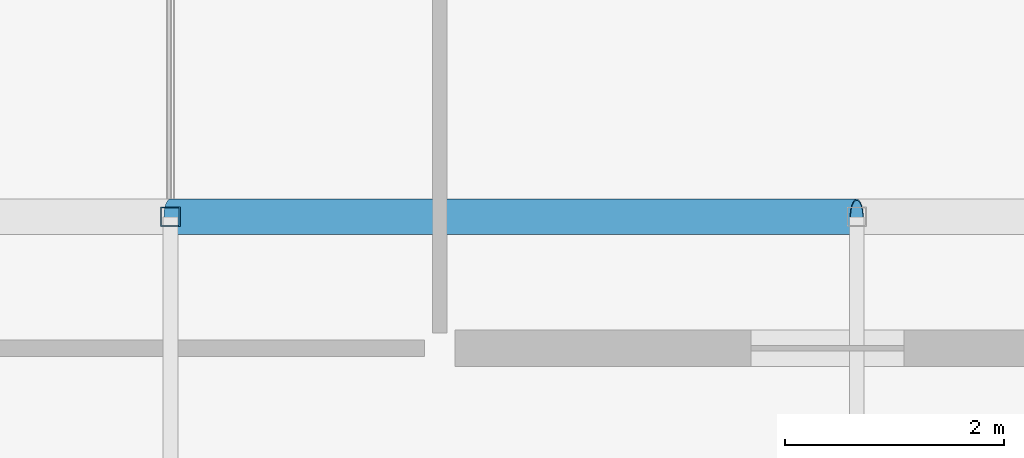
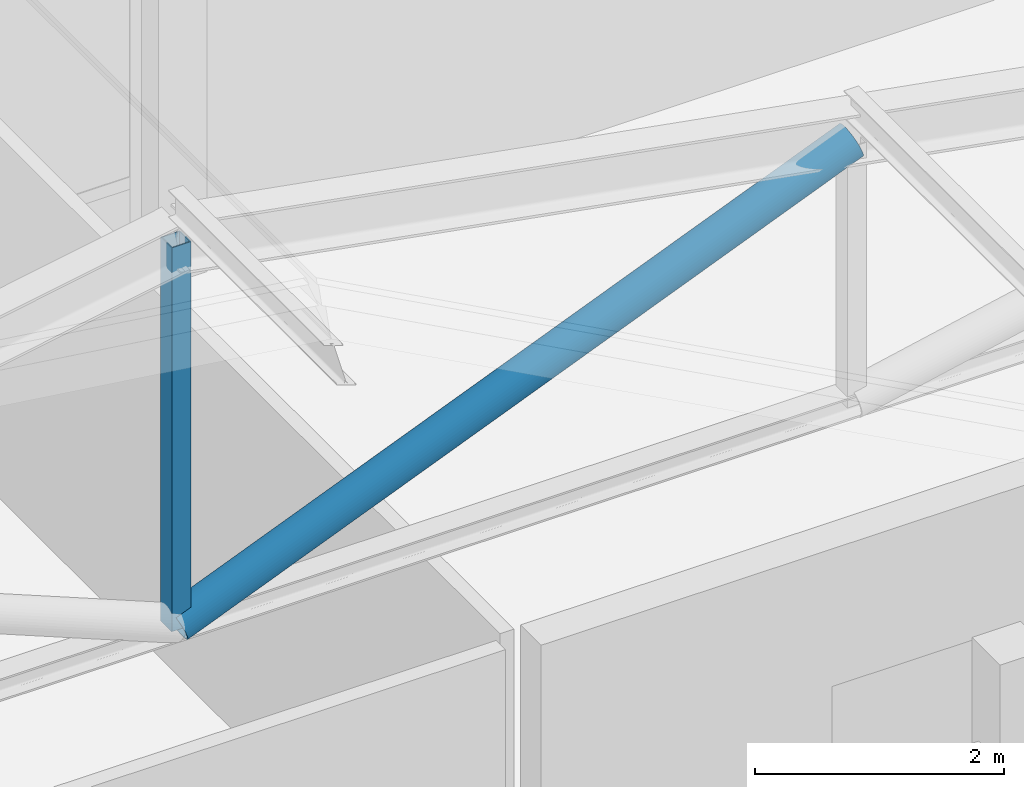
# One storey, part 11 of 24: 2 members.
"""IFC4 building model written with IfcOpenShell, lengths in metres."""

from ifc_helpers import new_model, si_unit, direction, frame, origin, origin_2d, place, context, subcontext, project, spatial, hollow_rectangle, hollow_circle, extrude, material, material_profile, profile_set, type_object, element, save


model = new_model("IFC4")

# Units and contexts
model_context = context("Model", 3, precision=1e-05, world=origin(), true_north=direction((0.0, 1.0)))
body_context = subcontext(model_context, "Body", "Model", "MODEL_VIEW")
ifc_project = project(units=[si_unit("LENGTHUNIT", "METRE"), si_unit("AREAUNIT", "SQUARE_METRE"), si_unit("VOLUMEUNIT", "CUBIC_METRE"), si_unit("PLANEANGLEUNIT", "RADIAN"), si_unit("MASSUNIT", "GRAM", prefix="KILO")], contexts=[model_context])

# Site, building, storey
site_placement = place(None, origin())
site = spatial("IfcSite", under=ifc_project, at=site_placement, CompositionType="ELEMENT")
building_placement = place(site_placement, origin())
building = spatial("IfcBuilding", under=site, at=building_placement, Name="Vellmiral Cinema and Media Centre", CompositionType="ELEMENT")
storey_placement = place(building_placement, frame((0.0, 0.0, 66.60009765625)))
storey = spatial("IfcBuildingStorey", under=building, at=storey_placement, Name="L16", CompositionType="ELEMENT", Elevation=66.60009765625)

# Members
ifc_material_1 = material(Name="Steel S355", Category="steel")
ifc_material_profile_1 = material_profile(ifc_material_1, hollow_circle(Radius=0.161865234375, WallThickness=0.012451171875, at=origin_2d()), Name="CHS 323.9x12.5")
ifc_profile_set_1 = profile_set([ifc_material_profile_1], Name="Steel S355")
member_type_1 = type_object("IfcMemberType", Name="TBR-CHS324", PredefinedType="BRACE", material=ifc_profile_set_1)
member_1_placement = place(storey_placement, frame((142.800048828125, 99.60009765625, 3.849853515625), z_axis=(0.926449270601, 0.0, 0.376419644815), x_axis=(0.0, 1.0, 0.0)))
element("IfcMember", 1, at=member_1_placement, inside=storey, type_object=member_type_1, Name="Roof Truss TR-10.3 Diagonal 4", PredefinedType="BRACE", context=body_context, shape_type="SweptSolid", body=[
    extrude(hollow_circle(Radius=0.161865234375, WallThickness=0.012451171875, at=origin_2d()), origin(), (0.0, 0.0, 1.0), 6.76416015625),
])
ifc_material_2 = material(Name="Steel S355", Category="steel")
ifc_material_profile_2 = material_profile(ifc_material_2, hollow_rectangle(XDim=0.179931640625, YDim=0.179931640625, WallThickness=0.010009765625, at=origin_2d()), Name="SHS 180x180x10.0")
ifc_profile_set_2 = profile_set([ifc_material_profile_2], Name="Steel S355")
member_type_2 = type_object("IfcMemberType", Name="TBR-SHS180", PredefinedType="BRACE", material=ifc_profile_set_2)
member_2_placement = place(storey_placement, frame((142.800048828125, 99.60009765625, 3.849853515625), z_axis=(0.0, 0.0, 1.0), x_axis=(1.0, 0.0, 0.0)))
element("IfcMember", 2, at=member_2_placement, inside=storey, type_object=member_type_2, Name="Roof Truss TR-10.3 Post 3", PredefinedType="BRACE", context=body_context, shape_type="SweptSolid", body=[
    extrude(hollow_rectangle(XDim=0.179931640625, YDim=0.179931640625, WallThickness=0.010009765625, at=origin_2d()), origin(), (0.0, 0.0, 1.0), 3.764404296875),
])

save(model, "model.ifc")
